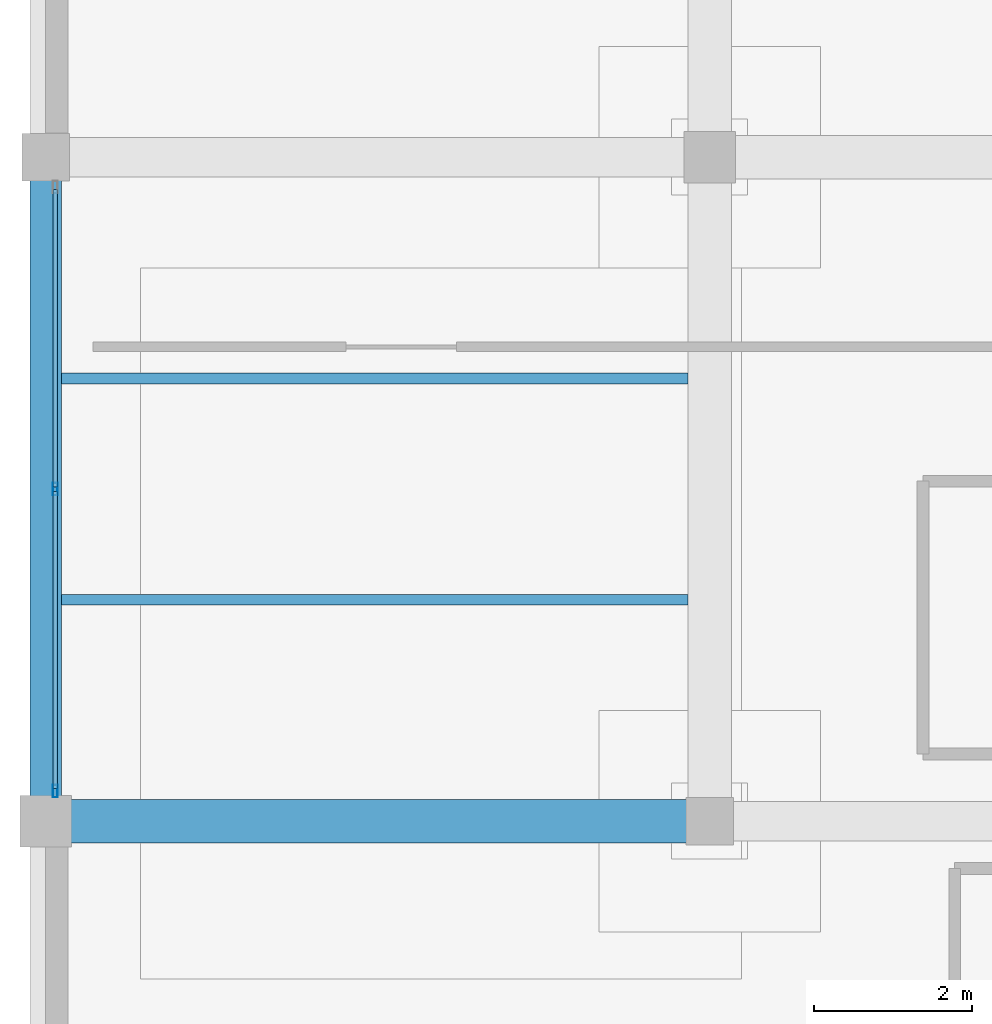
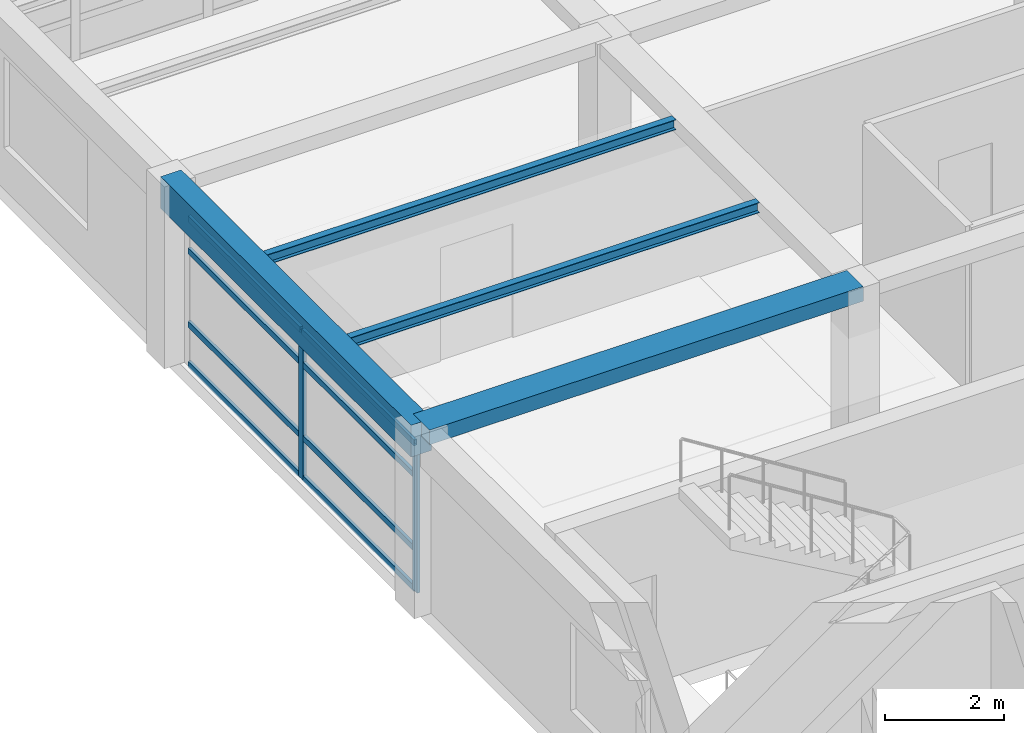
# One storey, part 9 of 26: 10 members, 4 beams, 1 element without a shape of its own.
"""IFC4 building model written with IfcOpenShell, lengths in metres."""

from ifc_helpers import new_model, si_unit, direction, frame, origin, origin_2d, place, context, subcontext, project, spatial, rectangle, hollow_rectangle, i_section, extrude, material, material_profile, profile_set, type_object, element, aggregate, save


model = new_model("IFC4")

# Units and contexts
model_context = context("Model", 3, precision=1e-05, world=origin(), true_north=direction((0.0, 1.0)))
body_context = subcontext(model_context, "Body", "Model", "MODEL_VIEW")
ifc_project = project(units=[si_unit("LENGTHUNIT", "METRE"), si_unit("AREAUNIT", "SQUARE_METRE"), si_unit("VOLUMEUNIT", "CUBIC_METRE"), si_unit("PLANEANGLEUNIT", "RADIAN"), si_unit("MASSUNIT", "GRAM", prefix="KILO")], contexts=[model_context])

# Site, building, storey
site_placement = place(None, origin())
site = spatial("IfcSite", under=ifc_project, at=site_placement, CompositionType="ELEMENT")
building_placement = place(site_placement, origin())
building = spatial("IfcBuilding", under=site, at=building_placement, Name="Almacenes y Pasaje Nevantli", CompositionType="ELEMENT")
storey_placement = place(building_placement, frame((0.0, 0.0, 46.699951171875)))
storey = spatial("IfcBuildingStorey", under=building, at=storey_placement, Name="L11", CompositionType="ELEMENT", Elevation=46.699951171875)

# Beams
ifc_material_1 = material(Name="Concrete C35/45", Category="concrete")
ifc_material_profile_1 = material_profile(ifc_material_1, rectangle(XDim=0.39990234375, YDim=0.64990234375, at=origin_2d()), Name="RC-BM-400x650")
ifc_profile_set_1 = profile_set([ifc_material_profile_1], Name="Concrete C35/45")
beam_type_1 = type_object("IfcBeamType", Name="BM-RC-400x650", PredefinedType="SPANDREL", material=ifc_profile_set_1)
beam_1_placement = place(storey_placement, frame((117.60009765625, 84.0, 3.39501953125), z_axis=(0.0, 1.0, 0.0), x_axis=(-1.0, 0.0, 0.0)))
element("IfcBeam", 1, at=beam_1_placement, inside=storey, type_object=beam_type_1, Name="L11 North-South Reinforced Concrete Beam #3871", PredefinedType="SPANDREL", context=body_context, shape_type="SweptSolid", body=[
    extrude(rectangle(XDim=0.39990234375, YDim=0.64990234375, at=origin_2d()), origin(), (0.0, 0.0, 1.0), 8.39990234375),
])
ifc_material_2 = material(Name="Concrete C35/45", Category="concrete")
ifc_material_profile_2 = material_profile(ifc_material_2, rectangle(XDim=0.550048828125, YDim=0.300048828125, at=origin_2d()), Name="RC-BM-550x300")
ifc_profile_set_2 = profile_set([ifc_material_profile_2], Name="Concrete C35/45")
beam_type_2 = type_object("IfcBeamType", Name="BM-RC-550x300", PredefinedType="BEAM", material=ifc_profile_set_2)
beam_2_placement = place(storey_placement, frame((117.60009765625, 84.0, 3.570068359375), z_axis=(1.0, 0.0, 0.0), x_axis=(0.0, 1.0, 0.0)))
element("IfcBeam", 2, at=beam_2_placement, inside=storey, type_object=beam_type_2, Name="L11 East-West Reinforced Concrete Beam #3854", PredefinedType="BEAM", context=body_context, shape_type="SweptSolid", body=[
    extrude(rectangle(XDim=0.550048828125, YDim=0.300048828125, at=origin_2d()), origin(), (0.0, 0.0, 1.0), 8.39990234375),
])
ifc_material_3 = material(Name="Steel ASTM A992", Category="steel")
ifc_material_profile_3 = material_profile(ifc_material_3, i_section(OverallWidth=0.134033203125, OverallDepth=0.2099609375, WebThickness=0.00634765625, FlangeThickness=0.01025390625, at=origin_2d()), Name="IR 203x31.3")
ifc_profile_set_3 = profile_set([ifc_material_profile_3], Name="Steel ASTM A992")
beam_type_3 = type_object("IfcBeamType", Name="BM-STL-IR-203x31p3", PredefinedType="JOIST", material=ifc_profile_set_3)
for number, where, z_axis, x_axis, name in (
    (3, (117.800048828125, 86.800048828125, 3.60693359375), (1.0, 0.0, 0.0), (0.0, 1.0, 0.0), "L11 Secondary Steel Floor Joist #1515"),
    (4, (117.800048828125, 89.60009765625, 3.60693359375), (1.0, 0.0, 0.0), (0.0, 1.0, 0.0), "L11 Secondary Steel Floor Joist #1516"),
):
    element("IfcBeam", number, at=place(storey_placement, frame(where, z_axis=z_axis, x_axis=x_axis)), inside=storey, type_object=beam_type_3, Name=name, PredefinedType="JOIST", context=body_context, shape_type="SweptSolid", body=[
        extrude(i_section(OverallWidth=0.134033203125, OverallDepth=0.2099609375, WebThickness=0.00634765625, FlangeThickness=0.01025390625, at=origin_2d()), origin(), (0.0, 0.0, 1.0), 7.925048828125),
    ])

# Curtain wall, members
ifc_material_4 = material(Name="Thermally Broken Aluminium and Low-E Glass", Category="aluminium")
curtain_wall_type = type_object("IfcCurtainWallType", Name="CW-UNIT-TOWER", PredefinedType="USERDEFINED", material=ifc_material_4)
curtain_wall_placement = place(storey_placement, origin())
curtain_wall = element("IfcCurtainWall", 5, at=curtain_wall_placement, inside=storey, type_object=curtain_wall_type, Name="L11 Tower West Curtain Wall Bay 11", ObjectType="UNITIZED CURTAIN WALL", PredefinedType="USERDEFINED")
ifc_material_5 = material(Name="Thermally Broken Anodized Aluminium", Category="aluminium")
ifc_material_profile_4 = material_profile(ifc_material_5, hollow_rectangle(XDim=0.06005859375, YDim=0.159912109375, WallThickness=0.00390625, at=origin_2d()), Name="ALU-MUL-60x160")
ifc_profile_set_4 = profile_set([ifc_material_profile_4], Name="Thermally Broken Anodized Aluminium")
member_type_1 = type_object("IfcMemberType", Name="CW-MUL-180", PredefinedType="MULLION", material=ifc_profile_set_4)
member_1_placement = place(storey_placement, frame((117.719970703125, 84.3798828125, 0.0), z_axis=(0.0, 0.0, 1.0), x_axis=(-1.0, 0.0, 0.0)))
member_1 = element("IfcMember", 6, at=member_1_placement, type_object=member_type_1, Name="CW-L11-157 mullion 1", PredefinedType="MULLION", context=body_context, shape_type="SweptSolid", body=[
    extrude(hollow_rectangle(XDim=0.06005859375, YDim=0.159912109375, WallThickness=0.00390625, at=origin_2d()), origin(), (0.0, 0.0, 1.0), 3.0400390625),
])
member_2_placement = place(storey_placement, frame((117.719970703125, 88.199951171875, 0.0), z_axis=(0.0, 0.0, 1.0), x_axis=(-1.0, 0.0, 0.0)))
member_2 = element("IfcMember", 7, at=member_2_placement, type_object=member_type_1, Name="CW-L11-157 mullion 2", PredefinedType="MULLION", context=body_context, shape_type="SweptSolid", body=[
    extrude(hollow_rectangle(XDim=0.06005859375, YDim=0.159912109375, WallThickness=0.00390625, at=origin_2d()), origin(), (0.0, 0.0, 1.0), 3.0400390625),
])
ifc_material_6 = material(Name="Thermally Broken Anodized Aluminium", Category="aluminium")
ifc_material_profile_5 = material_profile(ifc_material_6, hollow_rectangle(XDim=0.06005859375, YDim=0.1201171875, WallThickness=0.00341796875, at=origin_2d()), Name="ALU-TRN-60x120")
ifc_profile_set_5 = profile_set([ifc_material_profile_5], Name="Thermally Broken Anodized Aluminium")
member_type_2 = type_object("IfcMemberType", Name="CW-TRN-130", PredefinedType="USERDEFINED", material=ifc_profile_set_5)
member_3_placement = place(storey_placement, frame((117.719970703125, 84.409912109375, 0.030029296875), z_axis=(0.0, 1.0, 0.0), x_axis=(-1.0, 0.0, 0.0)))
member_3 = element("IfcMember", 8, at=member_3_placement, type_object=member_type_2, Name="CW-L11-157 transom 1.1", ObjectType="TRANSOM", PredefinedType="USERDEFINED", context=body_context, shape_type="SweptSolid", body=[
    extrude(hollow_rectangle(XDim=0.06005859375, YDim=0.1201171875, WallThickness=0.00341796875, at=origin_2d()), origin(), (0.0, 0.0, 1.0), 3.760009765625),
])
member_4_placement = place(storey_placement, frame((117.719970703125, 84.409912109375, 0.85009765625), z_axis=(0.0, 1.0, 0.0), x_axis=(-1.0, 0.0, 0.0)))
member_4 = element("IfcMember", 9, at=member_4_placement, type_object=member_type_2, Name="CW-L11-157 transom 1.2", ObjectType="TRANSOM", PredefinedType="USERDEFINED", context=body_context, shape_type="SweptSolid", body=[
    extrude(hollow_rectangle(XDim=0.06005859375, YDim=0.1201171875, WallThickness=0.00341796875, at=origin_2d()), origin(), (0.0, 0.0, 1.0), 3.760009765625),
])
member_5_placement = place(storey_placement, frame((117.719970703125, 84.409912109375, 2.35009765625), z_axis=(0.0, 1.0, 0.0), x_axis=(-1.0, 0.0, 0.0)))
member_5 = element("IfcMember", 10, at=member_5_placement, type_object=member_type_2, Name="CW-L11-157 transom 1.3", ObjectType="TRANSOM", PredefinedType="USERDEFINED", context=body_context, shape_type="SweptSolid", body=[
    extrude(hollow_rectangle(XDim=0.06005859375, YDim=0.1201171875, WallThickness=0.00341796875, at=origin_2d()), origin(), (0.0, 0.0, 1.0), 3.760009765625),
])
member_6_placement = place(storey_placement, frame((117.719970703125, 84.409912109375, 3.010009765625), z_axis=(0.0, 1.0, 0.0), x_axis=(-1.0, 0.0, 0.0)))
member_6 = element("IfcMember", 11, at=member_6_placement, type_object=member_type_2, Name="CW-L11-157 transom 1.4", ObjectType="TRANSOM", PredefinedType="USERDEFINED", context=body_context, shape_type="SweptSolid", body=[
    extrude(hollow_rectangle(XDim=0.06005859375, YDim=0.1201171875, WallThickness=0.00341796875, at=origin_2d()), origin(), (0.0, 0.0, 1.0), 3.760009765625),
])
member_7_placement = place(storey_placement, frame((117.719970703125, 88.22998046875, 0.030029296875), z_axis=(0.0, 1.0, 0.0), x_axis=(-1.0, 0.0, 0.0)))
member_7 = element("IfcMember", 12, at=member_7_placement, type_object=member_type_2, Name="CW-L11-157 transom 2.1", ObjectType="TRANSOM", PredefinedType="USERDEFINED", context=body_context, shape_type="SweptSolid", body=[
    extrude(hollow_rectangle(XDim=0.06005859375, YDim=0.1201171875, WallThickness=0.00341796875, at=origin_2d()), origin(), (0.0, 0.0, 1.0), 3.760009765625),
])
member_8_placement = place(storey_placement, frame((117.719970703125, 88.22998046875, 0.85009765625), z_axis=(0.0, 1.0, 0.0), x_axis=(-1.0, 0.0, 0.0)))
member_8 = element("IfcMember", 13, at=member_8_placement, type_object=member_type_2, Name="CW-L11-157 transom 2.2", ObjectType="TRANSOM", PredefinedType="USERDEFINED", context=body_context, shape_type="SweptSolid", body=[
    extrude(hollow_rectangle(XDim=0.06005859375, YDim=0.1201171875, WallThickness=0.00341796875, at=origin_2d()), origin(), (0.0, 0.0, 1.0), 3.760009765625),
])
member_9_placement = place(storey_placement, frame((117.719970703125, 88.22998046875, 2.35009765625), z_axis=(0.0, 1.0, 0.0), x_axis=(-1.0, 0.0, 0.0)))
member_9 = element("IfcMember", 14, at=member_9_placement, type_object=member_type_2, Name="CW-L11-157 transom 2.3", ObjectType="TRANSOM", PredefinedType="USERDEFINED", context=body_context, shape_type="SweptSolid", body=[
    extrude(hollow_rectangle(XDim=0.06005859375, YDim=0.1201171875, WallThickness=0.00341796875, at=origin_2d()), origin(), (0.0, 0.0, 1.0), 3.760009765625),
])
member_10_placement = place(storey_placement, frame((117.719970703125, 88.22998046875, 3.010009765625), z_axis=(0.0, 1.0, 0.0), x_axis=(-1.0, 0.0, 0.0)))
member_10 = element("IfcMember", 15, at=member_10_placement, type_object=member_type_2, Name="CW-L11-157 transom 2.4", ObjectType="TRANSOM", PredefinedType="USERDEFINED", context=body_context, shape_type="SweptSolid", body=[
    extrude(hollow_rectangle(XDim=0.06005859375, YDim=0.1201171875, WallThickness=0.00341796875, at=origin_2d()), origin(), (0.0, 0.0, 1.0), 3.760009765625),
])
aggregate(curtain_wall, [member_1, member_2, member_3, member_4, member_5, member_6, member_7, member_8, member_9, member_10])

save(model, "model.ifc")
